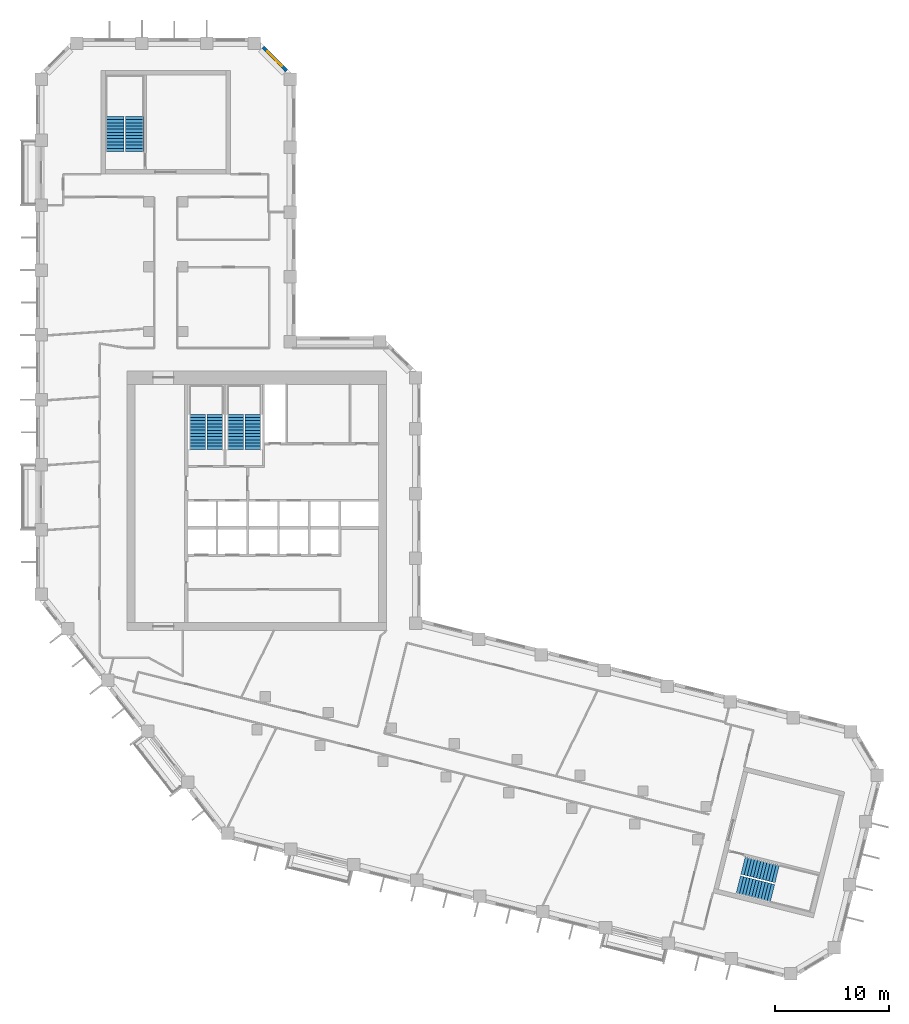
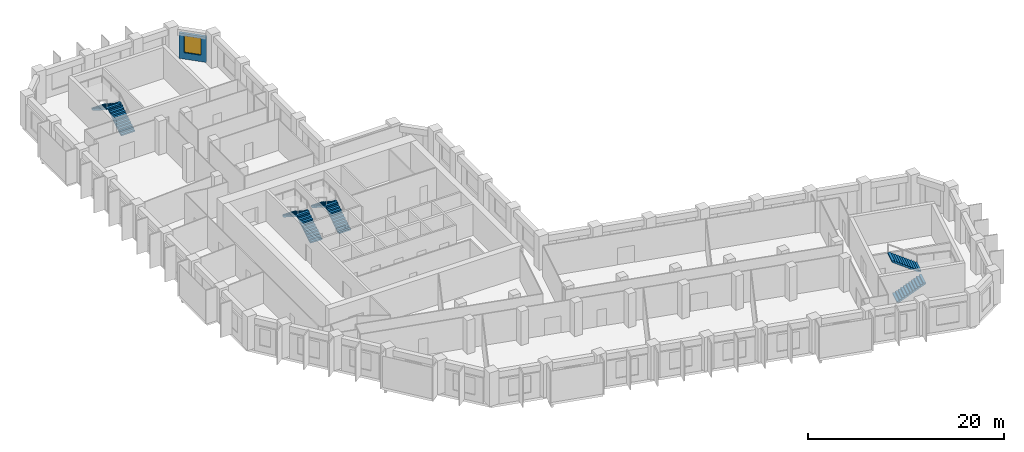
# One storey, part 9 of 10: 8 stair flights, 1 wall, 1 window, 1 opening, 4 elements without a shape of their own.
"""IFC4 building model written with IfcOpenShell, lengths in metres."""

from ifc_helpers import new_model, si_unit, direction, frame, frame_2d, origin, place, context, subcontext, project, spatial, polyline, rectangle, outline, extrude, material, layer, layer_set, type_object, element, fill, aggregate, save


model = new_model("IFC4")

# Units and contexts
model_context = context("Model", 3, precision=1e-05, world=origin(), true_north=direction((0.0, 1.0)))
body_context = subcontext(model_context, "Body", "Model", "MODEL_VIEW")
ifc_project = project(units=[si_unit("LENGTHUNIT", "METRE"), si_unit("AREAUNIT", "SQUARE_METRE"), si_unit("VOLUMEUNIT", "CUBIC_METRE"), si_unit("PLANEANGLEUNIT", "RADIAN"), si_unit("MASSUNIT", "GRAM", prefix="KILO")], contexts=[model_context])

# Site, building, storey
site_placement = place(None, origin())
site = spatial("IfcSite", under=ifc_project, at=site_placement, CompositionType="ELEMENT")
building_placement = place(site_placement, origin())
building = spatial("IfcBuilding", under=site, at=building_placement, Name="Meshkara Civic Tower", CompositionType="ELEMENT")
storey_placement = place(building_placement, frame((0.0, 0.0, 276.0)))
storey = spatial("IfcBuildingStorey", under=building, at=storey_placement, Name="L63", CompositionType="ELEMENT", Elevation=276.0)

# Wall, opening, window
ifc_material_1 = material(Name="Insulated infill panel with bronze anodised aluminium cladding", Category="aluminium")
ifc_layer = layer(ifc_material_1, 0.300048828125)
ifc_layer_set = layer_set([ifc_layer], Name="EXTERNAL INFILL WALL 300")
wall_type = type_object("IfcWallType", Name="EXTERNAL INFILL WALL 300", PredefinedType="SOLIDWALL", material=ifc_layer_set)
wall_placement = place(storey_placement, frame((22.011962890625, 63.27587890625, 0.0), z_axis=(0.0, 0.0, 1.0), x_axis=(-0.707064797706, 0.707148762175, 0.0)))
wall = element("IfcWall", 1, at=wall_placement, inside=storey, type_object=wall_type, Name="External wall", PredefinedType="SOLIDWALL", context=body_context, shape_type="SweptSolid", body=[
    extrude(rectangle(XDim=2.90771484375, YDim=0.300048828125, at=frame_2d((1.453857421875, 0.0))), origin(), (0.0, 0.0, 1.0), 3.14990234375),
])
opening_placement = place(wall_placement, frame((0.553955078125, 0.0, 0.800048828125)))
opening = element("IfcOpeningElement", 2, at=opening_placement, cuts=wall, Name="Opening W9", PredefinedType="OPENING", context=body_context, shape_type="SweptSolid", body=[
    extrude(rectangle(XDim=1.800048828125, YDim=2.10009765625, at=frame_2d((0.89990234375, 1.050048828125))), frame((0.0, 0.159912109375, 0.0), z_axis=(0.0, -1.0, 0.0), x_axis=(1.0, 0.0, 0.0)), (0.0, 0.0, 1.0), 0.320068359375),
])
ifc_material_2 = material(Name="Tinted double glazing", Category="glass")
window_type = type_object("IfcWindowType", Name="WINDOW 1800x2100", PartitioningType="DOUBLE_PANEL_VERTICAL", PredefinedType="WINDOW", material=ifc_material_2)
window_placement = place(opening_placement, origin())
window = element("IfcWindow", 3, at=window_placement, inside=storey, type_object=window_type, Name="Window", OverallHeight=2.10009765625, OverallWidth=1.800048828125, PartitioningType="DOUBLE_PANEL_VERTICAL", PredefinedType="WINDOW", context=body_context, shape_type="SweptSolid", body=[
    extrude(rectangle(XDim=1.800048828125, YDim=2.10009765625, at=frame_2d((0.89990234375, 1.050048828125))), frame((0.0, 0.030029296875, 0.0), z_axis=(0.0, -1.0, 0.0), x_axis=(1.0, 0.0, 0.0)), (0.0, 0.0, 1.0), 0.06005859375),
])
fill(opening, window)

# Stair, stair flights
ifc_material_3 = material(Name="Precast concrete C40/50", Category="concrete")
stair_type_1 = type_object("IfcStairType", Name="Exit stair half-turn 24 risers 1600 precast", PredefinedType="HALF_TURN_STAIR", material=ifc_material_3)
stair_1_placement = place(storey_placement, origin())
stair_1 = element("IfcStair", 4, at=stair_1_placement, inside=storey, type_object=stair_type_1, Name="L63 exit stair A from L50", PredefinedType="HALF_TURN_STAIR")
ifc_material_4 = material(Name="Precast concrete C40/50", Category="concrete")
stair_flight_type_1 = type_object("IfcStairFlightType", Name="Exit stair flight 12 risers 1600 precast", PredefinedType="STRAIGHT", material=ifc_material_4)
stair_flight_1_placement = place(storey_placement, frame((8.675048828125, 56.169921875, 0.0), z_axis=(0.0, 0.0, 1.0), x_axis=(0.0, 1.0, 0.0)))
stair_flight_1 = element("IfcStairFlight", 5, at=stair_flight_1_placement, type_object=stair_flight_type_1, Name="ESA4 flight 1", NumberOfRisers=12, NumberOfTreads=11, PredefinedType="STRAIGHT", RiserHeight=0.175, TreadLength=0.28, context=body_context, shape_type="SweptSolid", body=[
    extrude(outline(polyline([(0.0, 0.0), (0.0, 0.175048828125), (0.280029296875, 0.175048828125), (0.280029296875, 0.35009765625), (0.56005859375, 0.35009765625), (0.56005859375, 0.52490234375), (0.840087890625, 0.52490234375), (0.840087890625, 0.699951171875), (1.1201171875, 0.699951171875), (1.1201171875, 0.875), (1.39990234375, 0.875), (1.39990234375, 1.050048828125), (1.679931640625, 1.050048828125), (1.679931640625, 1.22509765625), (1.9599609375, 1.22509765625), (1.9599609375, 1.39990234375), (2.239990234375, 1.39990234375), (2.239990234375, 1.574951171875), (2.52001953125, 1.574951171875), (2.52001953125, 1.75), (2.800048828125, 1.75), (2.800048828125, 1.925048828125), (3.080078125, 1.925048828125), (3.080078125, 2.10009765625), (3.080078125, 1.748291015625), (0.28271484375, 0.0), (0.0, 0.0)])), frame((0.0, 0.800048828125, 0.0), z_axis=(0.0, -1.0, 0.0), x_axis=(1.0, 0.0, 0.0)), (0.0, 0.0, 1.0), 1.60009765625),
])
stair_flight_2_placement = place(storey_placement, frame((6.925048828125, 59.25, 2.10009765625), z_axis=(0.0, 0.0, 1.0), x_axis=(0.0, -1.0, 0.0)))
stair_flight_2 = element("IfcStairFlight", 6, at=stair_flight_2_placement, type_object=stair_flight_type_1, Name="ESA4 flight 2", NumberOfRisers=12, NumberOfTreads=11, PredefinedType="STRAIGHT", RiserHeight=0.175, TreadLength=0.28, context=body_context, shape_type="SweptSolid", body=[
    extrude(outline(polyline([(0.0, 0.0), (0.0, 0.175048828125), (0.280029296875, 0.175048828125), (0.280029296875, 0.35009765625), (0.56005859375, 0.35009765625), (0.56005859375, 0.52490234375), (0.840087890625, 0.52490234375), (0.840087890625, 0.699951171875), (1.1201171875, 0.699951171875), (1.1201171875, 0.875), (1.39990234375, 0.875), (1.39990234375, 1.050048828125), (1.679931640625, 1.050048828125), (1.679931640625, 1.22509765625), (1.9599609375, 1.22509765625), (1.9599609375, 1.39990234375), (2.239990234375, 1.39990234375), (2.239990234375, 1.574951171875), (2.52001953125, 1.574951171875), (2.52001953125, 1.75), (2.800048828125, 1.75), (2.800048828125, 1.925048828125), (3.080078125, 1.925048828125), (3.080078125, 2.10009765625), (3.080078125, 1.748291015625), (0.28271484375, 0.0), (0.0, 0.0)])), frame((0.0, 0.800048828125, 0.0), z_axis=(0.0, -1.0, 0.0), x_axis=(1.0, 0.0, 0.0)), (0.0, 0.0, 1.0), 1.60009765625),
])
aggregate(stair_1, [stair_flight_1, stair_flight_2])

stair_2_placement = place(storey_placement, origin())
stair_2 = element("IfcStair", 7, at=stair_2_placement, inside=storey, type_object=stair_type_1, Name="L63 exit stair B from L50", PredefinedType="HALF_TURN_STAIR")
stair_flight_3_placement = place(storey_placement, frame((61.70751953125, -8.248291015625, 0.0), z_axis=(0.0, 0.0, 1.0), x_axis=(0.970260066579, -0.242064873955, 0.0)))
stair_flight_3 = element("IfcStairFlight", 8, at=stair_flight_3_placement, type_object=stair_flight_type_1, Name="ESB4 flight 1", NumberOfRisers=12, NumberOfTreads=11, PredefinedType="STRAIGHT", RiserHeight=0.175, TreadLength=0.28, context=body_context, shape_type="SweptSolid", body=[
    extrude(outline(polyline([(0.0, 0.0), (0.0, 0.175048828125), (0.280029296875, 0.175048828125), (0.280029296875, 0.35009765625), (0.56005859375, 0.35009765625), (0.56005859375, 0.52490234375), (0.840087890625, 0.52490234375), (0.840087890625, 0.699951171875), (1.1201171875, 0.699951171875), (1.1201171875, 0.875), (1.39990234375, 0.875), (1.39990234375, 1.050048828125), (1.679931640625, 1.050048828125), (1.679931640625, 1.22509765625), (1.9599609375, 1.22509765625), (1.9599609375, 1.39990234375), (2.239990234375, 1.39990234375), (2.239990234375, 1.574951171875), (2.52001953125, 1.574951171875), (2.52001953125, 1.75), (2.800048828125, 1.75), (2.800048828125, 1.925048828125), (3.080078125, 1.925048828125), (3.080078125, 2.10009765625), (3.080078125, 1.748291015625), (0.28271484375, 0.0), (0.0, 0.0)])), frame((0.0, 0.800048828125, 0.0), z_axis=(0.0, -1.0, 0.0), x_axis=(1.0, 0.0, 0.0)), (0.0, 0.0, 1.0), 1.60009765625),
])
stair_flight_4_placement = place(storey_placement, frame((65.11962890625, -7.2958984375, 2.10009765625), z_axis=(0.0, 0.0, 1.0), x_axis=(-0.970260066579, 0.242064873955, 0.0)))
stair_flight_4 = element("IfcStairFlight", 9, at=stair_flight_4_placement, type_object=stair_flight_type_1, Name="ESB4 flight 2", NumberOfRisers=12, NumberOfTreads=11, PredefinedType="STRAIGHT", RiserHeight=0.175, TreadLength=0.28, context=body_context, shape_type="SweptSolid", body=[
    extrude(outline(polyline([(0.0, 0.0), (0.0, 0.175048828125), (0.280029296875, 0.175048828125), (0.280029296875, 0.35009765625), (0.56005859375, 0.35009765625), (0.56005859375, 0.52490234375), (0.840087890625, 0.52490234375), (0.840087890625, 0.699951171875), (1.1201171875, 0.699951171875), (1.1201171875, 0.875), (1.39990234375, 0.875), (1.39990234375, 1.050048828125), (1.679931640625, 1.050048828125), (1.679931640625, 1.22509765625), (1.9599609375, 1.22509765625), (1.9599609375, 1.39990234375), (2.239990234375, 1.39990234375), (2.239990234375, 1.574951171875), (2.52001953125, 1.574951171875), (2.52001953125, 1.75), (2.800048828125, 1.75), (2.800048828125, 1.925048828125), (3.080078125, 1.925048828125), (3.080078125, 2.10009765625), (3.080078125, 1.748291015625), (0.28271484375, 0.0), (0.0, 0.0)])), frame((0.0, 0.800048828125, 0.0), z_axis=(0.0, -1.0, 0.0), x_axis=(1.0, 0.0, 0.0)), (0.0, 0.0, 1.0), 1.60009765625),
])
aggregate(stair_2, [stair_flight_3, stair_flight_4])

ifc_material_5 = material(Name="Precast concrete C40/50", Category="concrete")
stair_type_2 = type_object("IfcStairType", Name="Exit stair half-turn 24 risers precast", PredefinedType="HALF_TURN_STAIR", material=ifc_material_5)
stair_3_placement = place(storey_placement, origin())
stair_3 = element("IfcStair", 10, at=stair_3_placement, inside=storey, type_object=stair_type_2, Name="L63 exit stair 1", PredefinedType="HALF_TURN_STAIR")
ifc_material_6 = material(Name="Precast concrete C40/50", Category="concrete")
stair_flight_type_2 = type_object("IfcStairFlightType", Name="Exit stair flight 12 risers precast", PredefinedType="STRAIGHT", material=ifc_material_6)
stair_flight_5_placement = place(storey_placement, frame((15.72509765625, 30.0, 0.0), z_axis=(0.0, 0.0, 1.0), x_axis=(0.0, 1.0, 0.0)))
stair_flight_5 = element("IfcStairFlight", 11, at=stair_flight_5_placement, type_object=stair_flight_type_2, Name="ST1 flight 1", NumberOfRisers=12, NumberOfTreads=11, PredefinedType="STRAIGHT", RiserHeight=0.175, TreadLength=0.28, context=body_context, shape_type="SweptSolid", body=[
    extrude(outline(polyline([(0.0, 0.0), (0.0, 0.175048828125), (0.280029296875, 0.175048828125), (0.280029296875, 0.35009765625), (0.56005859375, 0.35009765625), (0.56005859375, 0.52490234375), (0.840087890625, 0.52490234375), (0.840087890625, 0.699951171875), (1.1201171875, 0.699951171875), (1.1201171875, 0.875), (1.39990234375, 0.875), (1.39990234375, 1.050048828125), (1.679931640625, 1.050048828125), (1.679931640625, 1.22509765625), (1.9599609375, 1.22509765625), (1.9599609375, 1.39990234375), (2.239990234375, 1.39990234375), (2.239990234375, 1.574951171875), (2.52001953125, 1.574951171875), (2.52001953125, 1.75), (2.800048828125, 1.75), (2.800048828125, 1.925048828125), (3.080078125, 1.925048828125), (3.080078125, 2.10009765625), (3.080078125, 1.748291015625), (0.28271484375, 0.0), (0.0, 0.0)])), frame((0.0, 0.699951171875, 0.0), z_axis=(0.0, -1.0, 0.0), x_axis=(1.0, 0.0, 0.0)), (0.0, 0.0, 1.0), 1.39990234375),
])
stair_flight_6_placement = place(storey_placement, frame((14.175048828125, 33.080078125, 2.10009765625), z_axis=(0.0, 0.0, 1.0), x_axis=(0.0, -1.0, 0.0)))
stair_flight_6 = element("IfcStairFlight", 12, at=stair_flight_6_placement, type_object=stair_flight_type_2, Name="ST1 flight 2", NumberOfRisers=12, NumberOfTreads=11, PredefinedType="STRAIGHT", RiserHeight=0.175, TreadLength=0.28, context=body_context, shape_type="SweptSolid", body=[
    extrude(outline(polyline([(0.0, 0.0), (0.0, 0.175048828125), (0.280029296875, 0.175048828125), (0.280029296875, 0.35009765625), (0.56005859375, 0.35009765625), (0.56005859375, 0.52490234375), (0.840087890625, 0.52490234375), (0.840087890625, 0.699951171875), (1.1201171875, 0.699951171875), (1.1201171875, 0.875), (1.39990234375, 0.875), (1.39990234375, 1.050048828125), (1.679931640625, 1.050048828125), (1.679931640625, 1.22509765625), (1.9599609375, 1.22509765625), (1.9599609375, 1.39990234375), (2.239990234375, 1.39990234375), (2.239990234375, 1.574951171875), (2.52001953125, 1.574951171875), (2.52001953125, 1.75), (2.800048828125, 1.75), (2.800048828125, 1.925048828125), (3.080078125, 1.925048828125), (3.080078125, 2.10009765625), (3.080078125, 1.748291015625), (0.28271484375, 0.0), (0.0, 0.0)])), frame((0.0, 0.699951171875, 0.0), z_axis=(0.0, -1.0, 0.0), x_axis=(1.0, 0.0, 0.0)), (0.0, 0.0, 1.0), 1.39990234375),
])
aggregate(stair_3, [stair_flight_5, stair_flight_6])

stair_4_placement = place(storey_placement, origin())
stair_4 = element("IfcStair", 13, at=stair_4_placement, inside=storey, type_object=stair_type_2, Name="L63 exit stair 2", PredefinedType="HALF_TURN_STAIR")
stair_flight_7_placement = place(storey_placement, frame((19.074951171875, 30.0, 0.0), z_axis=(0.0, 0.0, 1.0), x_axis=(0.0, 1.0, 0.0)))
stair_flight_7 = element("IfcStairFlight", 14, at=stair_flight_7_placement, type_object=stair_flight_type_2, Name="ST2 flight 1", NumberOfRisers=12, NumberOfTreads=11, PredefinedType="STRAIGHT", RiserHeight=0.175, TreadLength=0.28, context=body_context, shape_type="SweptSolid", body=[
    extrude(outline(polyline([(0.0, 0.0), (0.0, 0.175048828125), (0.280029296875, 0.175048828125), (0.280029296875, 0.35009765625), (0.56005859375, 0.35009765625), (0.56005859375, 0.52490234375), (0.840087890625, 0.52490234375), (0.840087890625, 0.699951171875), (1.1201171875, 0.699951171875), (1.1201171875, 0.875), (1.39990234375, 0.875), (1.39990234375, 1.050048828125), (1.679931640625, 1.050048828125), (1.679931640625, 1.22509765625), (1.9599609375, 1.22509765625), (1.9599609375, 1.39990234375), (2.239990234375, 1.39990234375), (2.239990234375, 1.574951171875), (2.52001953125, 1.574951171875), (2.52001953125, 1.75), (2.800048828125, 1.75), (2.800048828125, 1.925048828125), (3.080078125, 1.925048828125), (3.080078125, 2.10009765625), (3.080078125, 1.748291015625), (0.28271484375, 0.0), (0.0, 0.0)])), frame((0.0, 0.699951171875, 0.0), z_axis=(0.0, -1.0, 0.0), x_axis=(1.0, 0.0, 0.0)), (0.0, 0.0, 1.0), 1.39990234375),
])
stair_flight_8_placement = place(storey_placement, frame((17.52490234375, 33.080078125, 2.10009765625), z_axis=(0.0, 0.0, 1.0), x_axis=(0.0, -1.0, 0.0)))
stair_flight_8 = element("IfcStairFlight", 15, at=stair_flight_8_placement, type_object=stair_flight_type_2, Name="ST2 flight 2", NumberOfRisers=12, NumberOfTreads=11, PredefinedType="STRAIGHT", RiserHeight=0.175, TreadLength=0.28, context=body_context, shape_type="SweptSolid", body=[
    extrude(outline(polyline([(0.0, 0.0), (0.0, 0.175048828125), (0.280029296875, 0.175048828125), (0.280029296875, 0.35009765625), (0.56005859375, 0.35009765625), (0.56005859375, 0.52490234375), (0.840087890625, 0.52490234375), (0.840087890625, 0.699951171875), (1.1201171875, 0.699951171875), (1.1201171875, 0.875), (1.39990234375, 0.875), (1.39990234375, 1.050048828125), (1.679931640625, 1.050048828125), (1.679931640625, 1.22509765625), (1.9599609375, 1.22509765625), (1.9599609375, 1.39990234375), (2.239990234375, 1.39990234375), (2.239990234375, 1.574951171875), (2.52001953125, 1.574951171875), (2.52001953125, 1.75), (2.800048828125, 1.75), (2.800048828125, 1.925048828125), (3.080078125, 1.925048828125), (3.080078125, 2.10009765625), (3.080078125, 1.748291015625), (0.28271484375, 0.0), (0.0, 0.0)])), frame((0.0, 0.699951171875, 0.0), z_axis=(0.0, -1.0, 0.0), x_axis=(1.0, 0.0, 0.0)), (0.0, 0.0, 1.0), 1.39990234375),
])
aggregate(stair_4, [stair_flight_7, stair_flight_8])

save(model, "model.ifc")
